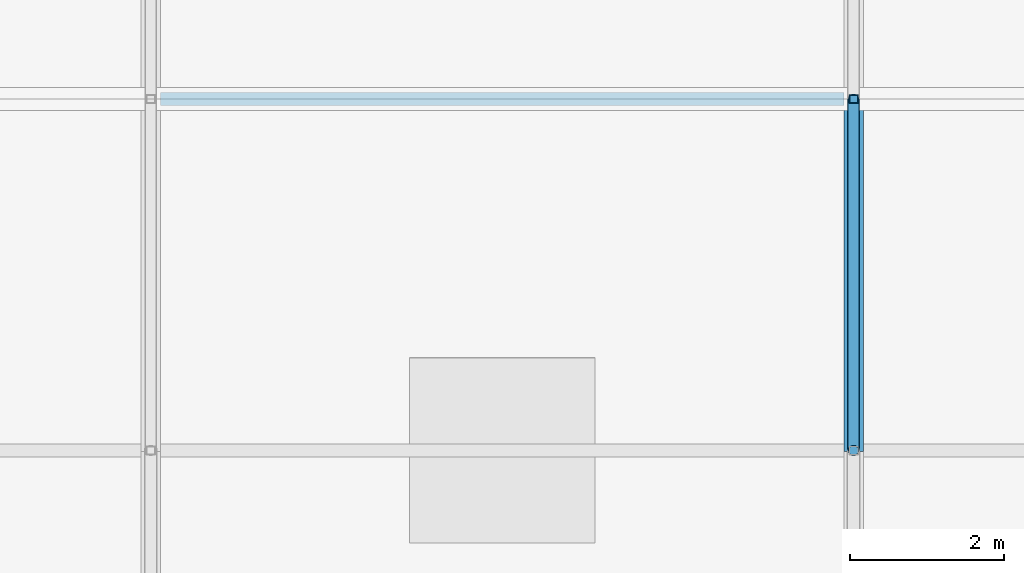
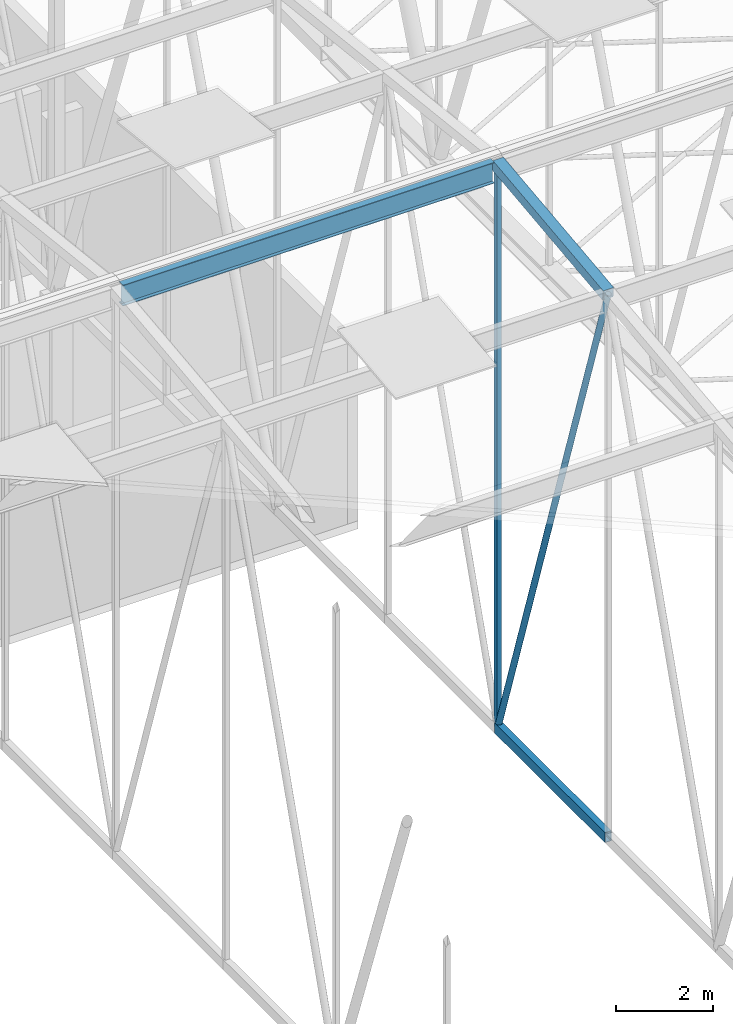
# One storey, part 87 of 500: 5 members.
"""IFC4 building model written with IfcOpenShell, lengths in metres."""

from ifc_helpers import new_model, si_unit, direction, frame, origin, origin_2d, place, context, subcontext, project, spatial, hollow_rectangle, hollow_circle, i_section, extrude, material, material_profile, profile_set, type_object, element, save


model = new_model("IFC4")

# Units and contexts
model_context = context("Model", 3, precision=1e-05, world=origin(), true_north=direction((0.0, 1.0)))
body_context = subcontext(model_context, "Body", "Model", "MODEL_VIEW")
ifc_project = project(units=[si_unit("LENGTHUNIT", "METRE"), si_unit("AREAUNIT", "SQUARE_METRE"), si_unit("VOLUMEUNIT", "CUBIC_METRE"), si_unit("PLANEANGLEUNIT", "RADIAN"), si_unit("MASSUNIT", "GRAM", prefix="KILO")], contexts=[model_context])

# Site, building, storey
site_placement = place(None, origin())
site = spatial("IfcSite", under=ifc_project, at=site_placement, CompositionType="ELEMENT")
building_placement = place(site_placement, origin())
building = spatial("IfcBuilding", under=site, at=building_placement, Name="Shirokan Park Arena", CompositionType="ELEMENT")
storey_placement = place(building_placement, frame((0.0, 0.0, 29.1201171875)))
storey = spatial("IfcBuildingStorey", under=building, at=storey_placement, Name="L06", CompositionType="ELEMENT", Elevation=29.1201171875)

# Members
ifc_material_1 = material(Name="Steel ASTM A500 Grade C", Category="steel")
ifc_material_profile_1 = material_profile(ifc_material_1, hollow_rectangle(XDim=0.152099609375, YDim=0.25390625, WallThickness=0.009521484375, at=origin_2d()), Name="HSS254X152.4X9.5")
ifc_profile_set_1 = profile_set([ifc_material_profile_1], Name="Steel ASTM A500 Grade C")
member_type_1 = type_object("IfcMemberType", Name="Bottom chord HSS254X152.4X9.5", PredefinedType="CHORD", material=ifc_profile_set_1)
member_1_placement = place(storey_placement, frame((36.39990234375, 50.050048828125, 4.677001953125), z_axis=(0.0, 1.0, 0.0), x_axis=(-1.0, 0.0, 0.0)))
element("IfcMember", 1, at=member_1_placement, inside=storey, type_object=member_type_1, Name="Truss T05 bottom chord 14", PredefinedType="CHORD", context=body_context, shape_type="SweptSolid", body=[
    extrude(hollow_rectangle(XDim=0.152099609375, YDim=0.25390625, WallThickness=0.009521484375, at=origin_2d()), origin(), (0.0, 0.0, 1.0), 4.550048828125),
])
ifc_material_2 = material(Name="Steel ASTM A992", Category="steel")
ifc_material_profile_2 = material_profile(ifc_material_2, i_section(OverallWidth=0.166015625, OverallDepth=0.528076171875, WebThickness=0.009765625, FlangeThickness=0.013671875, at=origin_2d()), Name="W530X74")
ifc_profile_set_2 = profile_set([ifc_material_profile_2], Name="Steel ASTM A992")
member_type_2 = type_object("IfcMemberType", Name="Purlin W530X74", PredefinedType="PURLIN", material=ifc_profile_set_2)
member_2_placement = place(storey_placement, frame((27.427001953125, 54.60009765625, 18.725830078125), z_axis=(1.0, 0.0, 0.0), x_axis=(0.0, 1.0, 0.0)))
element("IfcMember", 2, at=member_2_placement, inside=storey, type_object=member_type_2, Name="Purlin 15 bay 4", PredefinedType="PURLIN", context=body_context, shape_type="SweptSolid", body=[
    extrude(i_section(OverallWidth=0.166015625, OverallDepth=0.528076171875, WebThickness=0.009765625, FlangeThickness=0.013671875, at=origin_2d()), origin(), (0.0, 0.0, 1.0), 8.845947265625),
])
ifc_material_profile_3 = material_profile(ifc_material_1, hollow_rectangle(XDim=0.25390625, YDim=0.25390625, WallThickness=0.009521484375, at=origin_2d()), Name="HSS254X254X9.5")
ifc_profile_set_3 = profile_set([ifc_material_profile_3], Name="Steel ASTM A500 Grade C")
member_type_3 = type_object("IfcMemberType", Name="Top chord HSS254X254X9.5", PredefinedType="CHORD", material=ifc_profile_set_3)
member_3_placement = place(storey_placement, frame((36.39990234375, 50.050048828125, 18.3427734375), z_axis=(0.0, 0.993532328996, 0.113549598152), x_axis=(-1.0, 0.0, 0.0)))
element("IfcMember", 3, at=member_3_placement, inside=storey, type_object=member_type_3, Name="Truss T05 top chord 14", PredefinedType="CHORD", context=body_context, shape_type="SweptSolid", body=[
    extrude(hollow_rectangle(XDim=0.25390625, YDim=0.25390625, WallThickness=0.009521484375, at=origin_2d()), origin(), (0.0, 0.0, 1.0), 4.57958984375),
])
ifc_material_profile_4 = material_profile(ifc_material_1, hollow_circle(Radius=0.070556640625, WallThickness=0.006591796875, at=origin_2d()), Name="HSS141.3X6.6")
ifc_profile_set_4 = profile_set([ifc_material_profile_4], Name="Steel ASTM A500 Grade C")
member_type_4 = type_object("IfcMemberType", Name="Truss diagonal HSS141.3X6.6", PredefinedType="BRACE", material=ifc_profile_set_4)
member_4_placement = place(storey_placement, frame((36.39990234375, 50.050048828125, 18.3427734375), z_axis=(0.0, 0.315902302102, -0.948791723998), x_axis=(-1.0, 0.0, 0.0)))
element("IfcMember", 4, at=member_4_placement, inside=storey, type_object=member_type_4, Name="Truss T05 diagonal 14", PredefinedType="BRACE", context=body_context, shape_type="SweptSolid", body=[
    extrude(hollow_circle(Radius=0.070556640625, WallThickness=0.006591796875, at=origin_2d()), origin(), (0.0, 0.0, 1.0), 14.4033203125),
])
ifc_material_profile_5 = material_profile(ifc_material_1, hollow_rectangle(XDim=0.114013671875, YDim=0.114013671875, WallThickness=0.00634765625, at=origin_2d()), Name="HSS114.3X114.3X6.4")
ifc_profile_set_5 = profile_set([ifc_material_profile_5], Name="Steel ASTM A500 Grade C")
member_type_5 = type_object("IfcMemberType", Name="Truss post HSS114.3X114.3X6.4", PredefinedType="POST", material=ifc_profile_set_5)
member_5_placement = place(storey_placement, frame((36.39990234375, 54.60009765625, 4.677001953125), z_axis=(0.0, 0.0, 1.0), x_axis=(1.0, 0.0, 0.0)))
element("IfcMember", 5, at=member_5_placement, inside=storey, type_object=member_type_5, Name="Truss T05 post 15", PredefinedType="POST", context=body_context, shape_type="SweptSolid", body=[
    extrude(hollow_rectangle(XDim=0.114013671875, YDim=0.114013671875, WallThickness=0.00634765625, at=origin_2d()), origin(), (0.0, 0.0, 1.0), 14.185791015625),
])

save(model, "model.ifc")
